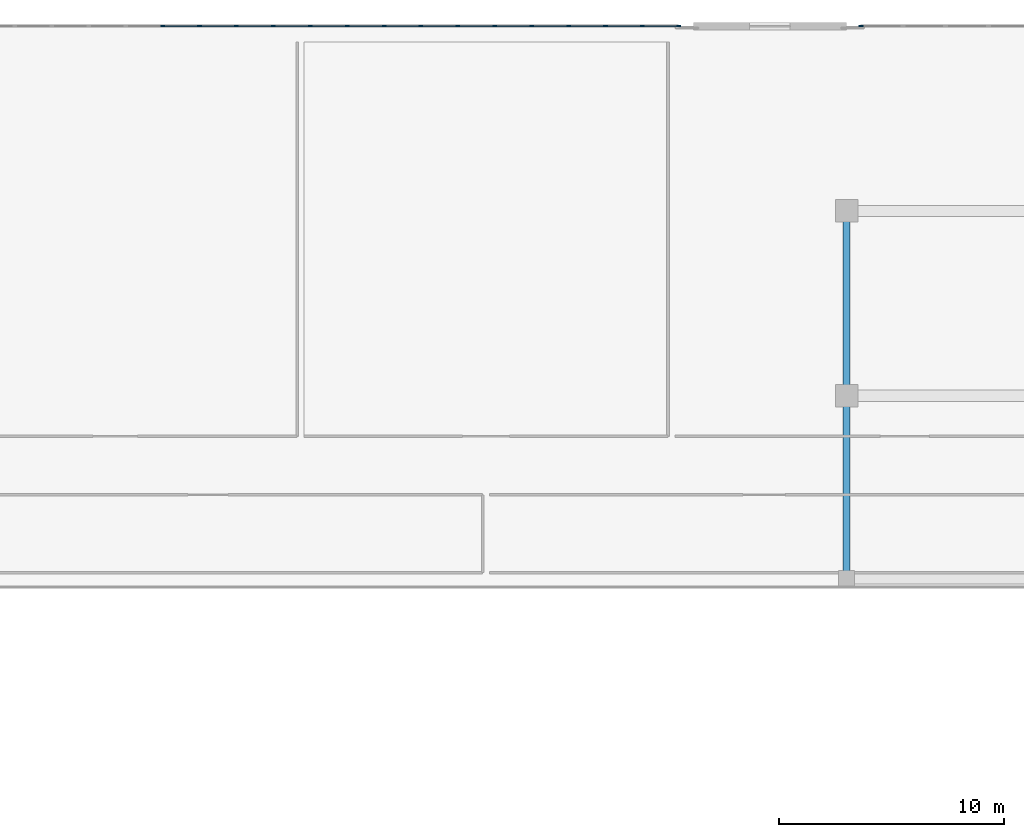
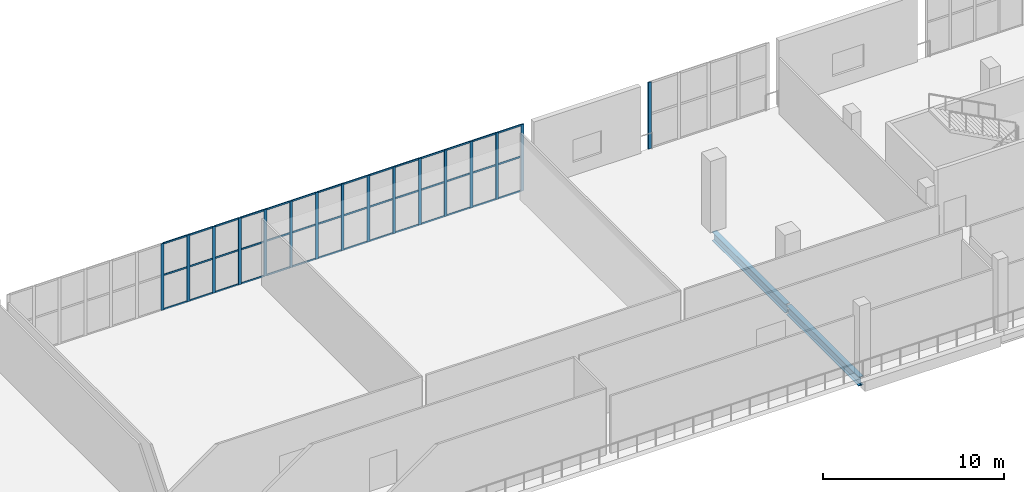
# One storey, part 67 of 142: 58 members, 2 beams, 2 elements without a shape of their own.
"""IFC4 building model written with IfcOpenShell, lengths in metres."""

from ifc_helpers import new_model, si_unit, direction, frame, origin, origin_2d, place, context, subcontext, project, spatial, rectangle, i_section, extrude, material, material_profile, profile_set, type_object, element, aggregate, save


model = new_model("IFC4")

# Units and contexts
model_context = context("Model", 3, precision=1e-05, world=origin(), true_north=direction((0.0, 1.0)))
body_context = subcontext(model_context, "Body", "Model", "MODEL_VIEW")
ifc_project = project(units=[si_unit("LENGTHUNIT", "METRE"), si_unit("AREAUNIT", "SQUARE_METRE"), si_unit("VOLUMEUNIT", "CUBIC_METRE"), si_unit("PLANEANGLEUNIT", "RADIAN"), si_unit("MASSUNIT", "GRAM", prefix="KILO")], contexts=[model_context])

# Site, building, storey
site_placement = place(None, origin())
site = spatial("IfcSite", under=ifc_project, at=site_placement, CompositionType="ELEMENT")
building_placement = place(site_placement, origin())
building = spatial("IfcBuilding", under=site, at=building_placement, Name="Koshinbarg Plaza Stadium", CompositionType="ELEMENT")
storey_placement = place(building_placement, frame((0.0, 0.0, 10.199951171875)))
storey = spatial("IfcBuildingStorey", under=building, at=storey_placement, Name="L02", CompositionType="ELEMENT", Elevation=10.199951171875)

# Beams
ifc_material_1 = material(Name="Steel S355", Category="steel")
ifc_material_profile_1 = material_profile(ifc_material_1, i_section(OverallWidth=0.300048828125, OverallDepth=0.60009765625, WebThickness=0.015380859375, FlangeThickness=0.030029296875, at=origin_2d()), Name="HEB 600")
ifc_profile_set_1 = profile_set([ifc_material_profile_1], Name="Steel S355")
beam_type = type_object("IfcBeamType", Name="BM-SGIR-02", PredefinedType="USERDEFINED", material=ifc_profile_set_1)
beam_1_placement = place(storey_placement, frame((162.800048828125, 127.56005859375, -0.599853515625), z_axis=(0.0, 1.0, 0.0), x_axis=(-1.0, 0.0, 0.0)))
element("IfcBeam", 1, at=beam_1_placement, inside=storey, type_object=beam_type, Name="L02 Y girder 15/S-T", ObjectType="GIRDER", PredefinedType="USERDEFINED", context=body_context, shape_type="SweptSolid", body=[
    extrude(i_section(OverallWidth=0.300048828125, OverallDepth=0.60009765625, WebThickness=0.015380859375, FlangeThickness=0.030029296875, at=origin_2d()), origin(), (0.0, 0.0, 1.0), 7.97998046875),
])
beam_2_placement = place(storey_placement, frame((162.800048828125, 135.659912109375, -0.599853515625), z_axis=(0.0, 1.0, 0.0), x_axis=(-1.0, 0.0, 0.0)))
element("IfcBeam", 2, at=beam_2_placement, inside=storey, type_object=beam_type, Name="L02 Y girder 15/T-U", ObjectType="GIRDER", PredefinedType="USERDEFINED", context=body_context, shape_type="SweptSolid", body=[
    extrude(i_section(OverallWidth=0.300048828125, OverallDepth=0.60009765625, WebThickness=0.015380859375, FlangeThickness=0.030029296875, at=origin_2d()), origin(), (0.0, 0.0, 1.0), 8.080078125),
])

# Curtain wall, members
ifc_material_2 = material(Name="Thermally broken anodised aluminium and low-E double glazing", Category="aluminium")
curtain_wall_type_1 = type_object("IfcCurtainWallType", Name="CW-SYS-03", PredefinedType="NOTDEFINED", material=ifc_material_2)
curtain_wall_1_placement = place(storey_placement, origin())
curtain_wall_1 = element("IfcCurtainWall", 3, at=curtain_wall_1_placement, inside=storey, type_object=curtain_wall_type_1, Name="L02 unitised curtain wall CW-L02-050", PredefinedType="NOTDEFINED")
ifc_material_3 = material(Name="Anodised aluminium mullion", Category="aluminium")
ifc_material_profile_2 = material_profile(ifc_material_3, rectangle(XDim=0.070068359375, YDim=0.179931640625, at=origin_2d()), Name="ALU 70x180")
ifc_profile_set_2 = profile_set([ifc_material_profile_2], Name="Anodised aluminium mullion")
member_type_1 = type_object("IfcMemberType", Name="CW-MUL-03", PredefinedType="MULLION", material=ifc_profile_set_2)
member_1_placement = place(storey_placement, frame((132.447998046875, 152.0, 0.0), z_axis=(0.0, 0.0, 1.0), x_axis=(0.0, 1.0, 0.0)))
member_1 = element("IfcMember", 4, at=member_1_placement, type_object=member_type_1, Name="CW03 mullion 7", PredefinedType="MULLION", context=body_context, shape_type="SweptSolid", body=[
    extrude(rectangle(XDim=0.070068359375, YDim=0.179931640625, at=origin_2d()), origin(), (0.0, 0.0, 1.0), 4.47998046875),
])
member_2_placement = place(storey_placement, frame((134.0859375, 152.0, 0.0), z_axis=(0.0, 0.0, 1.0), x_axis=(0.0, 1.0, 0.0)))
member_2 = element("IfcMember", 5, at=member_2_placement, type_object=member_type_1, Name="CW03 mullion 8", PredefinedType="MULLION", context=body_context, shape_type="SweptSolid", body=[
    extrude(rectangle(XDim=0.070068359375, YDim=0.179931640625, at=origin_2d()), origin(), (0.0, 0.0, 1.0), 4.47998046875),
])
member_3_placement = place(storey_placement, frame((135.72412109375, 152.0, 0.0), z_axis=(0.0, 0.0, 1.0), x_axis=(0.0, 1.0, 0.0)))
member_3 = element("IfcMember", 6, at=member_3_placement, type_object=member_type_1, Name="CW03 mullion 9", PredefinedType="MULLION", context=body_context, shape_type="SweptSolid", body=[
    extrude(rectangle(XDim=0.070068359375, YDim=0.179931640625, at=origin_2d()), origin(), (0.0, 0.0, 1.0), 4.47998046875),
])
member_4_placement = place(storey_placement, frame((137.362060546875, 152.0, 0.0), z_axis=(0.0, 0.0, 1.0), x_axis=(0.0, 1.0, 0.0)))
member_4 = element("IfcMember", 7, at=member_4_placement, type_object=member_type_1, Name="CW03 mullion 10", PredefinedType="MULLION", context=body_context, shape_type="SweptSolid", body=[
    extrude(rectangle(XDim=0.070068359375, YDim=0.179931640625, at=origin_2d()), origin(), (0.0, 0.0, 1.0), 4.47998046875),
])
member_5_placement = place(storey_placement, frame((139.0, 152.0, 0.0), z_axis=(0.0, 0.0, 1.0), x_axis=(0.0, 1.0, 0.0)))
member_5 = element("IfcMember", 8, at=member_5_placement, type_object=member_type_1, Name="CW03 mullion 11", PredefinedType="MULLION", context=body_context, shape_type="SweptSolid", body=[
    extrude(rectangle(XDim=0.070068359375, YDim=0.179931640625, at=origin_2d()), origin(), (0.0, 0.0, 1.0), 4.47998046875),
])
member_6_placement = place(storey_placement, frame((140.637939453125, 152.0, 0.0), z_axis=(0.0, 0.0, 1.0), x_axis=(0.0, 1.0, 0.0)))
member_6 = element("IfcMember", 9, at=member_6_placement, type_object=member_type_1, Name="CW03 mullion 12", PredefinedType="MULLION", context=body_context, shape_type="SweptSolid", body=[
    extrude(rectangle(XDim=0.070068359375, YDim=0.179931640625, at=origin_2d()), origin(), (0.0, 0.0, 1.0), 4.47998046875),
])
member_7_placement = place(storey_placement, frame((142.27587890625, 152.0, 0.0), z_axis=(0.0, 0.0, 1.0), x_axis=(0.0, 1.0, 0.0)))
member_7 = element("IfcMember", 10, at=member_7_placement, type_object=member_type_1, Name="CW03 mullion 13", PredefinedType="MULLION", context=body_context, shape_type="SweptSolid", body=[
    extrude(rectangle(XDim=0.070068359375, YDim=0.179931640625, at=origin_2d()), origin(), (0.0, 0.0, 1.0), 4.47998046875),
])
member_8_placement = place(storey_placement, frame((143.9140625, 152.0, 0.0), z_axis=(0.0, 0.0, 1.0), x_axis=(0.0, 1.0, 0.0)))
member_8 = element("IfcMember", 11, at=member_8_placement, type_object=member_type_1, Name="CW03 mullion 14", PredefinedType="MULLION", context=body_context, shape_type="SweptSolid", body=[
    extrude(rectangle(XDim=0.070068359375, YDim=0.179931640625, at=origin_2d()), origin(), (0.0, 0.0, 1.0), 4.47998046875),
])
member_9_placement = place(storey_placement, frame((145.552001953125, 152.0, 0.0), z_axis=(0.0, 0.0, 1.0), x_axis=(0.0, 1.0, 0.0)))
member_9 = element("IfcMember", 12, at=member_9_placement, type_object=member_type_1, Name="CW03 mullion 15", PredefinedType="MULLION", context=body_context, shape_type="SweptSolid", body=[
    extrude(rectangle(XDim=0.070068359375, YDim=0.179931640625, at=origin_2d()), origin(), (0.0, 0.0, 1.0), 4.47998046875),
])
member_10_placement = place(storey_placement, frame((147.18994140625, 152.0, 0.0), z_axis=(0.0, 0.0, 1.0), x_axis=(0.0, 1.0, 0.0)))
member_10 = element("IfcMember", 13, at=member_10_placement, type_object=member_type_1, Name="CW03 mullion 16", PredefinedType="MULLION", context=body_context, shape_type="SweptSolid", body=[
    extrude(rectangle(XDim=0.070068359375, YDim=0.179931640625, at=origin_2d()), origin(), (0.0, 0.0, 1.0), 4.47998046875),
])
member_11_placement = place(storey_placement, frame((148.827880859375, 152.0, 0.0), z_axis=(0.0, 0.0, 1.0), x_axis=(0.0, 1.0, 0.0)))
member_11 = element("IfcMember", 14, at=member_11_placement, type_object=member_type_1, Name="CW03 mullion 17", PredefinedType="MULLION", context=body_context, shape_type="SweptSolid", body=[
    extrude(rectangle(XDim=0.070068359375, YDim=0.179931640625, at=origin_2d()), origin(), (0.0, 0.0, 1.0), 4.47998046875),
])
member_12_placement = place(storey_placement, frame((150.466064453125, 152.0, 0.0), z_axis=(0.0, 0.0, 1.0), x_axis=(0.0, 1.0, 0.0)))
member_12 = element("IfcMember", 15, at=member_12_placement, type_object=member_type_1, Name="CW03 mullion 18", PredefinedType="MULLION", context=body_context, shape_type="SweptSolid", body=[
    extrude(rectangle(XDim=0.070068359375, YDim=0.179931640625, at=origin_2d()), origin(), (0.0, 0.0, 1.0), 4.47998046875),
])
member_13_placement = place(storey_placement, frame((152.10400390625, 152.0, 0.0), z_axis=(0.0, 0.0, 1.0), x_axis=(0.0, 1.0, 0.0)))
member_13 = element("IfcMember", 16, at=member_13_placement, type_object=member_type_1, Name="CW03 mullion 19", PredefinedType="MULLION", context=body_context, shape_type="SweptSolid", body=[
    extrude(rectangle(XDim=0.070068359375, YDim=0.179931640625, at=origin_2d()), origin(), (0.0, 0.0, 1.0), 4.47998046875),
])
member_14_placement = place(storey_placement, frame((153.741943359375, 152.0, 0.0), z_axis=(0.0, 0.0, 1.0), x_axis=(0.0, 1.0, 0.0)))
member_14 = element("IfcMember", 17, at=member_14_placement, type_object=member_type_1, Name="CW03 mullion 20", PredefinedType="MULLION", context=body_context, shape_type="SweptSolid", body=[
    extrude(rectangle(XDim=0.070068359375, YDim=0.179931640625, at=origin_2d()), origin(), (0.0, 0.0, 1.0), 4.47998046875),
])
member_15_placement = place(storey_placement, frame((155.35009765625, 152.0, 0.0), z_axis=(0.0, 0.0, 1.0), x_axis=(0.0, 1.0, 0.0)))
member_15 = element("IfcMember", 18, at=member_15_placement, type_object=member_type_1, Name="CW03 mullion 21", PredefinedType="MULLION", context=body_context, shape_type="SweptSolid", body=[
    extrude(rectangle(XDim=0.070068359375, YDim=0.179931640625, at=origin_2d()), origin(), (0.0, 0.0, 1.0), 4.47998046875),
])

# Curtain wall, member
curtain_wall_type_2 = type_object("IfcCurtainWallType", Name="CW-SYS-04", PredefinedType="NOTDEFINED", material=ifc_material_2)
curtain_wall_2_placement = place(storey_placement, origin())
curtain_wall_2 = element("IfcCurtainWall", 19, at=curtain_wall_2_placement, inside=storey, type_object=curtain_wall_type_2, Name="L02 unitised curtain wall CW-L02-051", PredefinedType="NOTDEFINED")
ifc_material_profile_3 = material_profile(ifc_material_3, rectangle(XDim=0.070068359375, YDim=0.199951171875, at=origin_2d()), Name="ALU 70x200")
ifc_profile_set_3 = profile_set([ifc_material_profile_3], Name="Anodised aluminium mullion")
member_type_2 = type_object("IfcMemberType", Name="CW-MUL-04", PredefinedType="MULLION", material=ifc_profile_set_3)
member_16_placement = place(storey_placement, frame((163.449951171875, 152.0, 0.0), z_axis=(0.0, 0.0, 1.0), x_axis=(0.0, 1.0, 0.0)))
member_16 = element("IfcMember", 20, at=member_16_placement, type_object=member_type_2, Name="CW04 mullion 1", PredefinedType="MULLION", context=body_context, shape_type="SweptSolid", body=[
    extrude(rectangle(XDim=0.070068359375, YDim=0.199951171875, at=origin_2d()), origin(), (0.0, 0.0, 1.0), 4.47998046875),
])
aggregate(curtain_wall_2, [member_16])

# Member
ifc_material_4 = material(Name="Anodised aluminium transom", Category="aluminium")
ifc_material_profile_4 = material_profile(ifc_material_4, rectangle(XDim=0.06005859375, YDim=0.110107421875, at=origin_2d()), Name="ALU 60x110")
ifc_profile_set_4 = profile_set([ifc_material_profile_4], Name="Anodised aluminium transom")
member_type_3 = type_object("IfcMemberType", Name="CW-TRN-01", PredefinedType="USERDEFINED", material=ifc_profile_set_4)
member_17_placement = place(storey_placement, frame((132.47802734375, 152.0, 0.030029296875), z_axis=(1.0, 0.0, 0.0), x_axis=(0.0, 1.0, 0.0)))
member_17 = element("IfcMember", 21, at=member_17_placement, type_object=member_type_3, Name="CW03 transom 7.1", ObjectType="TRANSOM", PredefinedType="USERDEFINED", context=body_context, shape_type="SweptSolid", body=[
    extrude(rectangle(XDim=0.06005859375, YDim=0.110107421875, at=origin_2d()), origin(), (0.0, 0.0, 1.0), 1.577880859375),
])

member_18_placement = place(storey_placement, frame((132.47802734375, 152.0, 2.32958984375), z_axis=(1.0, 0.0, 0.0), x_axis=(0.0, 1.0, 0.0)))
member_18 = element("IfcMember", 22, at=member_18_placement, type_object=member_type_3, Name="CW03 transom 7.2", ObjectType="TRANSOM", PredefinedType="USERDEFINED", context=body_context, shape_type="SweptSolid", body=[
    extrude(rectangle(XDim=0.06005859375, YDim=0.110107421875, at=origin_2d()), origin(), (0.0, 0.0, 1.0), 1.577880859375),
])

member_19_placement = place(storey_placement, frame((132.47802734375, 152.0, 4.449951171875), z_axis=(1.0, 0.0, 0.0), x_axis=(0.0, 1.0, 0.0)))
member_19 = element("IfcMember", 23, at=member_19_placement, type_object=member_type_3, Name="CW03 transom 7.3", ObjectType="TRANSOM", PredefinedType="USERDEFINED", context=body_context, shape_type="SweptSolid", body=[
    extrude(rectangle(XDim=0.06005859375, YDim=0.110107421875, at=origin_2d()), origin(), (0.0, 0.0, 1.0), 1.577880859375),
])

member_20_placement = place(storey_placement, frame((134.115966796875, 152.0, 0.030029296875), z_axis=(1.0, 0.0, 0.0), x_axis=(0.0, 1.0, 0.0)))
member_20 = element("IfcMember", 24, at=member_20_placement, type_object=member_type_3, Name="CW03 transom 8.1", ObjectType="TRANSOM", PredefinedType="USERDEFINED", context=body_context, shape_type="SweptSolid", body=[
    extrude(rectangle(XDim=0.06005859375, YDim=0.110107421875, at=origin_2d()), origin(), (0.0, 0.0, 1.0), 1.578125),
])

member_21_placement = place(storey_placement, frame((134.115966796875, 152.0, 2.32958984375), z_axis=(1.0, 0.0, 0.0), x_axis=(0.0, 1.0, 0.0)))
member_21 = element("IfcMember", 25, at=member_21_placement, type_object=member_type_3, Name="CW03 transom 8.2", ObjectType="TRANSOM", PredefinedType="USERDEFINED", context=body_context, shape_type="SweptSolid", body=[
    extrude(rectangle(XDim=0.06005859375, YDim=0.110107421875, at=origin_2d()), origin(), (0.0, 0.0, 1.0), 1.578125),
])

member_22_placement = place(storey_placement, frame((134.115966796875, 152.0, 4.449951171875), z_axis=(1.0, 0.0, 0.0), x_axis=(0.0, 1.0, 0.0)))
member_22 = element("IfcMember", 26, at=member_22_placement, type_object=member_type_3, Name="CW03 transom 8.3", ObjectType="TRANSOM", PredefinedType="USERDEFINED", context=body_context, shape_type="SweptSolid", body=[
    extrude(rectangle(XDim=0.06005859375, YDim=0.110107421875, at=origin_2d()), origin(), (0.0, 0.0, 1.0), 1.578125),
])

member_23_placement = place(storey_placement, frame((135.75390625, 152.0, 0.030029296875), z_axis=(1.0, 0.0, 0.0), x_axis=(0.0, 1.0, 0.0)))
member_23 = element("IfcMember", 27, at=member_23_placement, type_object=member_type_3, Name="CW03 transom 9.1", ObjectType="TRANSOM", PredefinedType="USERDEFINED", context=body_context, shape_type="SweptSolid", body=[
    extrude(rectangle(XDim=0.06005859375, YDim=0.110107421875, at=origin_2d()), origin(), (0.0, 0.0, 1.0), 1.578125),
])

member_24_placement = place(storey_placement, frame((135.75390625, 152.0, 2.32958984375), z_axis=(1.0, 0.0, 0.0), x_axis=(0.0, 1.0, 0.0)))
member_24 = element("IfcMember", 28, at=member_24_placement, type_object=member_type_3, Name="CW03 transom 9.2", ObjectType="TRANSOM", PredefinedType="USERDEFINED", context=body_context, shape_type="SweptSolid", body=[
    extrude(rectangle(XDim=0.06005859375, YDim=0.110107421875, at=origin_2d()), origin(), (0.0, 0.0, 1.0), 1.578125),
])

member_25_placement = place(storey_placement, frame((135.75390625, 152.0, 4.449951171875), z_axis=(1.0, 0.0, 0.0), x_axis=(0.0, 1.0, 0.0)))
member_25 = element("IfcMember", 29, at=member_25_placement, type_object=member_type_3, Name="CW03 transom 9.3", ObjectType="TRANSOM", PredefinedType="USERDEFINED", context=body_context, shape_type="SweptSolid", body=[
    extrude(rectangle(XDim=0.06005859375, YDim=0.110107421875, at=origin_2d()), origin(), (0.0, 0.0, 1.0), 1.578125),
])

member_26_placement = place(storey_placement, frame((137.39208984375, 152.0, 0.030029296875), z_axis=(1.0, 0.0, 0.0), x_axis=(0.0, 1.0, 0.0)))
member_26 = element("IfcMember", 30, at=member_26_placement, type_object=member_type_3, Name="CW03 transom 10.1", ObjectType="TRANSOM", PredefinedType="USERDEFINED", context=body_context, shape_type="SweptSolid", body=[
    extrude(rectangle(XDim=0.06005859375, YDim=0.110107421875, at=origin_2d()), origin(), (0.0, 0.0, 1.0), 1.577880859375),
])

member_27_placement = place(storey_placement, frame((137.39208984375, 152.0, 2.32958984375), z_axis=(1.0, 0.0, 0.0), x_axis=(0.0, 1.0, 0.0)))
member_27 = element("IfcMember", 31, at=member_27_placement, type_object=member_type_3, Name="CW03 transom 10.2", ObjectType="TRANSOM", PredefinedType="USERDEFINED", context=body_context, shape_type="SweptSolid", body=[
    extrude(rectangle(XDim=0.06005859375, YDim=0.110107421875, at=origin_2d()), origin(), (0.0, 0.0, 1.0), 1.577880859375),
])

member_28_placement = place(storey_placement, frame((137.39208984375, 152.0, 4.449951171875), z_axis=(1.0, 0.0, 0.0), x_axis=(0.0, 1.0, 0.0)))
member_28 = element("IfcMember", 32, at=member_28_placement, type_object=member_type_3, Name="CW03 transom 10.3", ObjectType="TRANSOM", PredefinedType="USERDEFINED", context=body_context, shape_type="SweptSolid", body=[
    extrude(rectangle(XDim=0.06005859375, YDim=0.110107421875, at=origin_2d()), origin(), (0.0, 0.0, 1.0), 1.577880859375),
])

member_29_placement = place(storey_placement, frame((139.030029296875, 152.0, 0.030029296875), z_axis=(1.0, 0.0, 0.0), x_axis=(0.0, 1.0, 0.0)))
member_29 = element("IfcMember", 33, at=member_29_placement, type_object=member_type_3, Name="CW03 transom 11.1", ObjectType="TRANSOM", PredefinedType="USERDEFINED", context=body_context, shape_type="SweptSolid", body=[
    extrude(rectangle(XDim=0.06005859375, YDim=0.110107421875, at=origin_2d()), origin(), (0.0, 0.0, 1.0), 1.577880859375),
])

member_30_placement = place(storey_placement, frame((139.030029296875, 152.0, 2.32958984375), z_axis=(1.0, 0.0, 0.0), x_axis=(0.0, 1.0, 0.0)))
member_30 = element("IfcMember", 34, at=member_30_placement, type_object=member_type_3, Name="CW03 transom 11.2", ObjectType="TRANSOM", PredefinedType="USERDEFINED", context=body_context, shape_type="SweptSolid", body=[
    extrude(rectangle(XDim=0.06005859375, YDim=0.110107421875, at=origin_2d()), origin(), (0.0, 0.0, 1.0), 1.577880859375),
])

member_31_placement = place(storey_placement, frame((139.030029296875, 152.0, 4.449951171875), z_axis=(1.0, 0.0, 0.0), x_axis=(0.0, 1.0, 0.0)))
member_31 = element("IfcMember", 35, at=member_31_placement, type_object=member_type_3, Name="CW03 transom 11.3", ObjectType="TRANSOM", PredefinedType="USERDEFINED", context=body_context, shape_type="SweptSolid", body=[
    extrude(rectangle(XDim=0.06005859375, YDim=0.110107421875, at=origin_2d()), origin(), (0.0, 0.0, 1.0), 1.577880859375),
])

member_32_placement = place(storey_placement, frame((140.66796875, 152.0, 0.030029296875), z_axis=(1.0, 0.0, 0.0), x_axis=(0.0, 1.0, 0.0)))
member_32 = element("IfcMember", 36, at=member_32_placement, type_object=member_type_3, Name="CW03 transom 12.1", ObjectType="TRANSOM", PredefinedType="USERDEFINED", context=body_context, shape_type="SweptSolid", body=[
    extrude(rectangle(XDim=0.06005859375, YDim=0.110107421875, at=origin_2d()), origin(), (0.0, 0.0, 1.0), 1.578125),
])

member_33_placement = place(storey_placement, frame((140.66796875, 152.0, 2.32958984375), z_axis=(1.0, 0.0, 0.0), x_axis=(0.0, 1.0, 0.0)))
member_33 = element("IfcMember", 37, at=member_33_placement, type_object=member_type_3, Name="CW03 transom 12.2", ObjectType="TRANSOM", PredefinedType="USERDEFINED", context=body_context, shape_type="SweptSolid", body=[
    extrude(rectangle(XDim=0.06005859375, YDim=0.110107421875, at=origin_2d()), origin(), (0.0, 0.0, 1.0), 1.578125),
])

member_34_placement = place(storey_placement, frame((140.66796875, 152.0, 4.449951171875), z_axis=(1.0, 0.0, 0.0), x_axis=(0.0, 1.0, 0.0)))
member_34 = element("IfcMember", 38, at=member_34_placement, type_object=member_type_3, Name="CW03 transom 12.3", ObjectType="TRANSOM", PredefinedType="USERDEFINED", context=body_context, shape_type="SweptSolid", body=[
    extrude(rectangle(XDim=0.06005859375, YDim=0.110107421875, at=origin_2d()), origin(), (0.0, 0.0, 1.0), 1.578125),
])

member_35_placement = place(storey_placement, frame((142.305908203125, 152.0, 0.030029296875), z_axis=(1.0, 0.0, 0.0), x_axis=(0.0, 1.0, 0.0)))
member_35 = element("IfcMember", 39, at=member_35_placement, type_object=member_type_3, Name="CW03 transom 13.1", ObjectType="TRANSOM", PredefinedType="USERDEFINED", context=body_context, shape_type="SweptSolid", body=[
    extrude(rectangle(XDim=0.06005859375, YDim=0.110107421875, at=origin_2d()), origin(), (0.0, 0.0, 1.0), 1.578125),
])

member_36_placement = place(storey_placement, frame((142.305908203125, 152.0, 2.32958984375), z_axis=(1.0, 0.0, 0.0), x_axis=(0.0, 1.0, 0.0)))
member_36 = element("IfcMember", 40, at=member_36_placement, type_object=member_type_3, Name="CW03 transom 13.2", ObjectType="TRANSOM", PredefinedType="USERDEFINED", context=body_context, shape_type="SweptSolid", body=[
    extrude(rectangle(XDim=0.06005859375, YDim=0.110107421875, at=origin_2d()), origin(), (0.0, 0.0, 1.0), 1.578125),
])

member_37_placement = place(storey_placement, frame((142.305908203125, 152.0, 4.449951171875), z_axis=(1.0, 0.0, 0.0), x_axis=(0.0, 1.0, 0.0)))
member_37 = element("IfcMember", 41, at=member_37_placement, type_object=member_type_3, Name="CW03 transom 13.3", ObjectType="TRANSOM", PredefinedType="USERDEFINED", context=body_context, shape_type="SweptSolid", body=[
    extrude(rectangle(XDim=0.06005859375, YDim=0.110107421875, at=origin_2d()), origin(), (0.0, 0.0, 1.0), 1.578125),
])

member_38_placement = place(storey_placement, frame((143.944091796875, 152.0, 0.030029296875), z_axis=(1.0, 0.0, 0.0), x_axis=(0.0, 1.0, 0.0)))
member_38 = element("IfcMember", 42, at=member_38_placement, type_object=member_type_3, Name="CW03 transom 14.1", ObjectType="TRANSOM", PredefinedType="USERDEFINED", context=body_context, shape_type="SweptSolid", body=[
    extrude(rectangle(XDim=0.06005859375, YDim=0.110107421875, at=origin_2d()), origin(), (0.0, 0.0, 1.0), 1.577880859375),
])

member_39_placement = place(storey_placement, frame((143.944091796875, 152.0, 2.32958984375), z_axis=(1.0, 0.0, 0.0), x_axis=(0.0, 1.0, 0.0)))
member_39 = element("IfcMember", 43, at=member_39_placement, type_object=member_type_3, Name="CW03 transom 14.2", ObjectType="TRANSOM", PredefinedType="USERDEFINED", context=body_context, shape_type="SweptSolid", body=[
    extrude(rectangle(XDim=0.06005859375, YDim=0.110107421875, at=origin_2d()), origin(), (0.0, 0.0, 1.0), 1.577880859375),
])

member_40_placement = place(storey_placement, frame((143.944091796875, 152.0, 4.449951171875), z_axis=(1.0, 0.0, 0.0), x_axis=(0.0, 1.0, 0.0)))
member_40 = element("IfcMember", 44, at=member_40_placement, type_object=member_type_3, Name="CW03 transom 14.3", ObjectType="TRANSOM", PredefinedType="USERDEFINED", context=body_context, shape_type="SweptSolid", body=[
    extrude(rectangle(XDim=0.06005859375, YDim=0.110107421875, at=origin_2d()), origin(), (0.0, 0.0, 1.0), 1.577880859375),
])

member_41_placement = place(storey_placement, frame((145.58203125, 152.0, 0.030029296875), z_axis=(1.0, 0.0, 0.0), x_axis=(0.0, 1.0, 0.0)))
member_41 = element("IfcMember", 45, at=member_41_placement, type_object=member_type_3, Name="CW03 transom 15.1", ObjectType="TRANSOM", PredefinedType="USERDEFINED", context=body_context, shape_type="SweptSolid", body=[
    extrude(rectangle(XDim=0.06005859375, YDim=0.110107421875, at=origin_2d()), origin(), (0.0, 0.0, 1.0), 1.577880859375),
])

member_42_placement = place(storey_placement, frame((145.58203125, 152.0, 2.32958984375), z_axis=(1.0, 0.0, 0.0), x_axis=(0.0, 1.0, 0.0)))
member_42 = element("IfcMember", 46, at=member_42_placement, type_object=member_type_3, Name="CW03 transom 15.2", ObjectType="TRANSOM", PredefinedType="USERDEFINED", context=body_context, shape_type="SweptSolid", body=[
    extrude(rectangle(XDim=0.06005859375, YDim=0.110107421875, at=origin_2d()), origin(), (0.0, 0.0, 1.0), 1.577880859375),
])

member_43_placement = place(storey_placement, frame((145.58203125, 152.0, 4.449951171875), z_axis=(1.0, 0.0, 0.0), x_axis=(0.0, 1.0, 0.0)))
member_43 = element("IfcMember", 47, at=member_43_placement, type_object=member_type_3, Name="CW03 transom 15.3", ObjectType="TRANSOM", PredefinedType="USERDEFINED", context=body_context, shape_type="SweptSolid", body=[
    extrude(rectangle(XDim=0.06005859375, YDim=0.110107421875, at=origin_2d()), origin(), (0.0, 0.0, 1.0), 1.577880859375),
])

member_44_placement = place(storey_placement, frame((147.219970703125, 152.0, 0.030029296875), z_axis=(1.0, 0.0, 0.0), x_axis=(0.0, 1.0, 0.0)))
member_44 = element("IfcMember", 48, at=member_44_placement, type_object=member_type_3, Name="CW03 transom 16.1", ObjectType="TRANSOM", PredefinedType="USERDEFINED", context=body_context, shape_type="SweptSolid", body=[
    extrude(rectangle(XDim=0.06005859375, YDim=0.110107421875, at=origin_2d()), origin(), (0.0, 0.0, 1.0), 1.578125),
])

member_45_placement = place(storey_placement, frame((147.219970703125, 152.0, 2.32958984375), z_axis=(1.0, 0.0, 0.0), x_axis=(0.0, 1.0, 0.0)))
member_45 = element("IfcMember", 49, at=member_45_placement, type_object=member_type_3, Name="CW03 transom 16.2", ObjectType="TRANSOM", PredefinedType="USERDEFINED", context=body_context, shape_type="SweptSolid", body=[
    extrude(rectangle(XDim=0.06005859375, YDim=0.110107421875, at=origin_2d()), origin(), (0.0, 0.0, 1.0), 1.578125),
])

member_46_placement = place(storey_placement, frame((147.219970703125, 152.0, 4.449951171875), z_axis=(1.0, 0.0, 0.0), x_axis=(0.0, 1.0, 0.0)))
member_46 = element("IfcMember", 50, at=member_46_placement, type_object=member_type_3, Name="CW03 transom 16.3", ObjectType="TRANSOM", PredefinedType="USERDEFINED", context=body_context, shape_type="SweptSolid", body=[
    extrude(rectangle(XDim=0.06005859375, YDim=0.110107421875, at=origin_2d()), origin(), (0.0, 0.0, 1.0), 1.578125),
])

member_47_placement = place(storey_placement, frame((148.85791015625, 152.0, 0.030029296875), z_axis=(1.0, 0.0, 0.0), x_axis=(0.0, 1.0, 0.0)))
member_47 = element("IfcMember", 51, at=member_47_placement, type_object=member_type_3, Name="CW03 transom 17.1", ObjectType="TRANSOM", PredefinedType="USERDEFINED", context=body_context, shape_type="SweptSolid", body=[
    extrude(rectangle(XDim=0.06005859375, YDim=0.110107421875, at=origin_2d()), origin(), (0.0, 0.0, 1.0), 1.578125),
])

member_48_placement = place(storey_placement, frame((148.85791015625, 152.0, 2.32958984375), z_axis=(1.0, 0.0, 0.0), x_axis=(0.0, 1.0, 0.0)))
member_48 = element("IfcMember", 52, at=member_48_placement, type_object=member_type_3, Name="CW03 transom 17.2", ObjectType="TRANSOM", PredefinedType="USERDEFINED", context=body_context, shape_type="SweptSolid", body=[
    extrude(rectangle(XDim=0.06005859375, YDim=0.110107421875, at=origin_2d()), origin(), (0.0, 0.0, 1.0), 1.578125),
])

member_49_placement = place(storey_placement, frame((148.85791015625, 152.0, 4.449951171875), z_axis=(1.0, 0.0, 0.0), x_axis=(0.0, 1.0, 0.0)))
member_49 = element("IfcMember", 53, at=member_49_placement, type_object=member_type_3, Name="CW03 transom 17.3", ObjectType="TRANSOM", PredefinedType="USERDEFINED", context=body_context, shape_type="SweptSolid", body=[
    extrude(rectangle(XDim=0.06005859375, YDim=0.110107421875, at=origin_2d()), origin(), (0.0, 0.0, 1.0), 1.578125),
])

member_50_placement = place(storey_placement, frame((150.49609375, 152.0, 0.030029296875), z_axis=(1.0, 0.0, 0.0), x_axis=(0.0, 1.0, 0.0)))
member_50 = element("IfcMember", 54, at=member_50_placement, type_object=member_type_3, Name="CW03 transom 18.1", ObjectType="TRANSOM", PredefinedType="USERDEFINED", context=body_context, shape_type="SweptSolid", body=[
    extrude(rectangle(XDim=0.06005859375, YDim=0.110107421875, at=origin_2d()), origin(), (0.0, 0.0, 1.0), 1.577880859375),
])

member_51_placement = place(storey_placement, frame((150.49609375, 152.0, 2.32958984375), z_axis=(1.0, 0.0, 0.0), x_axis=(0.0, 1.0, 0.0)))
member_51 = element("IfcMember", 55, at=member_51_placement, type_object=member_type_3, Name="CW03 transom 18.2", ObjectType="TRANSOM", PredefinedType="USERDEFINED", context=body_context, shape_type="SweptSolid", body=[
    extrude(rectangle(XDim=0.06005859375, YDim=0.110107421875, at=origin_2d()), origin(), (0.0, 0.0, 1.0), 1.577880859375),
])

member_52_placement = place(storey_placement, frame((150.49609375, 152.0, 4.449951171875), z_axis=(1.0, 0.0, 0.0), x_axis=(0.0, 1.0, 0.0)))
member_52 = element("IfcMember", 56, at=member_52_placement, type_object=member_type_3, Name="CW03 transom 18.3", ObjectType="TRANSOM", PredefinedType="USERDEFINED", context=body_context, shape_type="SweptSolid", body=[
    extrude(rectangle(XDim=0.06005859375, YDim=0.110107421875, at=origin_2d()), origin(), (0.0, 0.0, 1.0), 1.577880859375),
])

member_53_placement = place(storey_placement, frame((152.134033203125, 152.0, 0.030029296875), z_axis=(1.0, 0.0, 0.0), x_axis=(0.0, 1.0, 0.0)))
member_53 = element("IfcMember", 57, at=member_53_placement, type_object=member_type_3, Name="CW03 transom 19.1", ObjectType="TRANSOM", PredefinedType="USERDEFINED", context=body_context, shape_type="SweptSolid", body=[
    extrude(rectangle(XDim=0.06005859375, YDim=0.110107421875, at=origin_2d()), origin(), (0.0, 0.0, 1.0), 1.577880859375),
])

member_54_placement = place(storey_placement, frame((152.134033203125, 152.0, 2.32958984375), z_axis=(1.0, 0.0, 0.0), x_axis=(0.0, 1.0, 0.0)))
member_54 = element("IfcMember", 58, at=member_54_placement, type_object=member_type_3, Name="CW03 transom 19.2", ObjectType="TRANSOM", PredefinedType="USERDEFINED", context=body_context, shape_type="SweptSolid", body=[
    extrude(rectangle(XDim=0.06005859375, YDim=0.110107421875, at=origin_2d()), origin(), (0.0, 0.0, 1.0), 1.577880859375),
])

member_55_placement = place(storey_placement, frame((152.134033203125, 152.0, 4.449951171875), z_axis=(1.0, 0.0, 0.0), x_axis=(0.0, 1.0, 0.0)))
member_55 = element("IfcMember", 59, at=member_55_placement, type_object=member_type_3, Name="CW03 transom 19.3", ObjectType="TRANSOM", PredefinedType="USERDEFINED", context=body_context, shape_type="SweptSolid", body=[
    extrude(rectangle(XDim=0.06005859375, YDim=0.110107421875, at=origin_2d()), origin(), (0.0, 0.0, 1.0), 1.577880859375),
])

member_56_placement = place(storey_placement, frame((153.77197265625, 152.0, 0.030029296875), z_axis=(1.0, 0.0, 0.0), x_axis=(0.0, 1.0, 0.0)))
member_56 = element("IfcMember", 60, at=member_56_placement, type_object=member_type_3, Name="CW03 transom 20.1", ObjectType="TRANSOM", PredefinedType="USERDEFINED", context=body_context, shape_type="SweptSolid", body=[
    extrude(rectangle(XDim=0.06005859375, YDim=0.110107421875, at=origin_2d()), origin(), (0.0, 0.0, 1.0), 1.548095703125),
])

member_57_placement = place(storey_placement, frame((153.77197265625, 152.0, 2.32958984375), z_axis=(1.0, 0.0, 0.0), x_axis=(0.0, 1.0, 0.0)))
member_57 = element("IfcMember", 61, at=member_57_placement, type_object=member_type_3, Name="CW03 transom 20.2", ObjectType="TRANSOM", PredefinedType="USERDEFINED", context=body_context, shape_type="SweptSolid", body=[
    extrude(rectangle(XDim=0.06005859375, YDim=0.110107421875, at=origin_2d()), origin(), (0.0, 0.0, 1.0), 1.548095703125),
])

member_58_placement = place(storey_placement, frame((153.77197265625, 152.0, 4.449951171875), z_axis=(1.0, 0.0, 0.0), x_axis=(0.0, 1.0, 0.0)))
member_58 = element("IfcMember", 62, at=member_58_placement, type_object=member_type_3, Name="CW03 transom 20.3", ObjectType="TRANSOM", PredefinedType="USERDEFINED", context=body_context, shape_type="SweptSolid", body=[
    extrude(rectangle(XDim=0.06005859375, YDim=0.110107421875, at=origin_2d()), origin(), (0.0, 0.0, 1.0), 1.548095703125),
])

aggregate(curtain_wall_1, [member_1, member_2, member_3, member_4, member_5, member_6, member_7, member_8, member_9, member_10, member_11, member_12, member_13, member_14, member_15, member_17, member_18, member_19, member_20, member_21, member_22, member_23, member_24, member_25, member_26, member_27, member_28, member_29, member_30, member_31, member_32, member_33, member_34, member_35, member_36, member_37, member_38, member_39, member_40, member_41, member_42, member_43, member_44, member_45, member_46, member_47, member_48, member_49, member_50, member_51, member_52, member_53, member_54, member_55, member_56, member_57, member_58])

save(model, "model.ifc")
